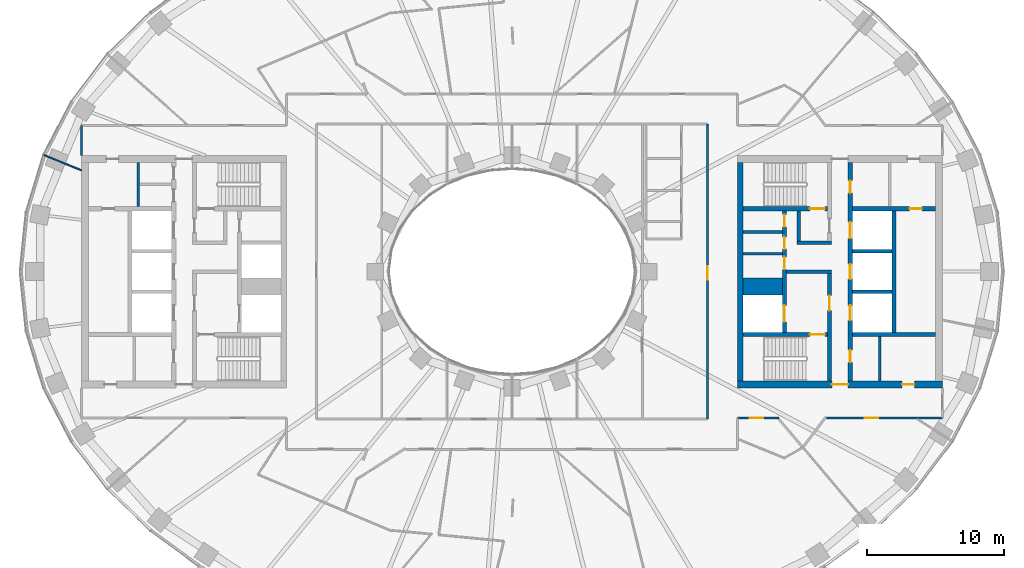
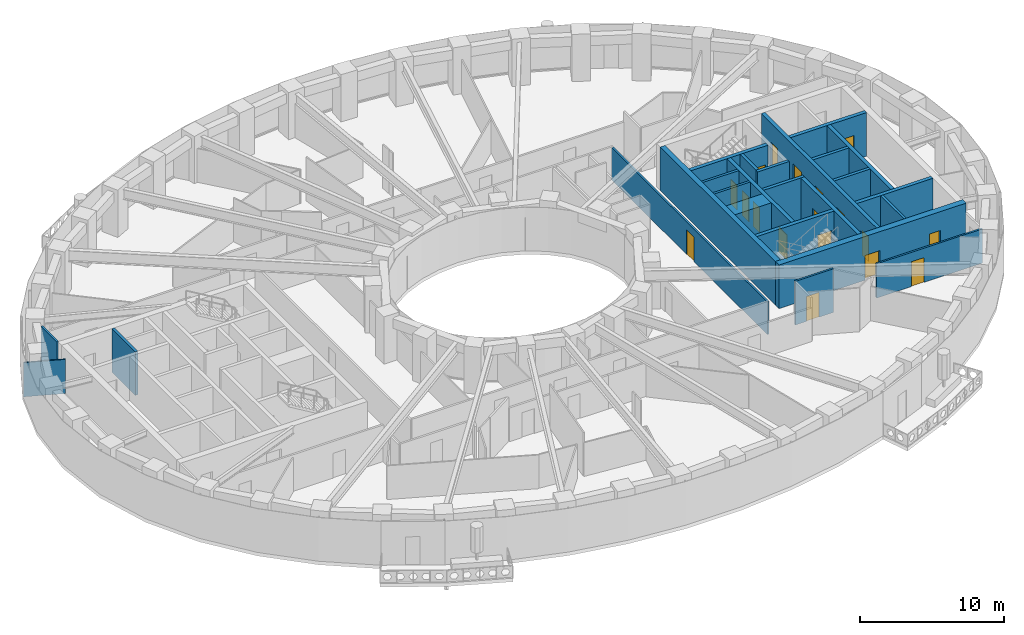
# One storey, part 5 of 15: 25 walls, 18 doors, 18 openings.
"""IFC4 building model written with IfcOpenShell, lengths in metres."""

from ifc_helpers import new_model, si_unit, direction, frame, frame_2d, origin, place, context, subcontext, project, spatial, rectangle, extrude, material, layer, layer_set, type_object, element, fill, save


model = new_model("IFC4")

# Units and contexts
model_context = context("Model", 3, precision=1e-05, world=origin(), true_north=direction((0.0, 1.0)))
body_context = subcontext(model_context, "Body", "Model", "MODEL_VIEW")
ifc_project = project(units=[si_unit("LENGTHUNIT", "METRE"), si_unit("AREAUNIT", "SQUARE_METRE"), si_unit("VOLUMEUNIT", "CUBIC_METRE"), si_unit("PLANEANGLEUNIT", "RADIAN"), si_unit("MASSUNIT", "GRAM", prefix="KILO")], contexts=[model_context])

# Site, building, storey
site_placement = place(None, origin())
site = spatial("IfcSite", under=ifc_project, at=site_placement, CompositionType="ELEMENT")
building_placement = place(site_placement, origin())
building = spatial("IfcBuilding", under=site, at=building_placement, Name="Noorbagh Ring Tower", CompositionType="ELEMENT")
storey_placement = place(building_placement, frame((0.0, 0.0, 92.0)))
storey = spatial("IfcBuildingStorey", under=building, at=storey_placement, Name="L20", CompositionType="ELEMENT", Elevation=92.0)

# Walls
ifc_material_1 = material(Name="Gypsum board on steel studs", Category="steel")
ifc_layer_1 = layer(ifc_material_1, 0.199951171875)
ifc_layer_set_1 = layer_set([ifc_layer_1], Name="Gypsum board on steel studs")
wall_type_1 = type_object("IfcWallType", Name="CORE-PARTITION-200", PredefinedType="PARTITIONING", material=ifc_layer_set_1)
wall_1_placement = place(storey_placement, frame((-27.35009765625, 4.75, 0.0), z_axis=(0.0, 0.0, 1.0), x_axis=(0.0, 1.0, 0.0)))
element("IfcWall", 1, at=wall_1_placement, inside=storey, type_object=wall_type_1, Name="Core partition W", PredefinedType="PARTITIONING", context=body_context, shape_type="SweptSolid", body=[
    extrude(rectangle(XDim=3.25, YDim=0.199951171875, at=frame_2d((1.625, 0.0))), origin(), (0.0, 0.0, 1.0), 3.699951171875),
])
for number, where, z_axis, x_axis, name in (
    (2, (16.89990234375, 1.300048828125, 0.0), (0.0, 0.0, 1.0), (1.0, 0.0, 0.0), "Core partition E"),
    (3, (16.89990234375, 2.89990234375, 0.0), (0.0, 0.0, 1.0), (1.0, 0.0, 0.0), "Core partition E"),
):
    element("IfcWall", number, at=place(storey_placement, frame(where, z_axis=z_axis, x_axis=x_axis)), inside=storey, type_object=wall_type_1, Name=name, PredefinedType="PARTITIONING", context=body_context, shape_type="SweptSolid", body=[
        extrude(rectangle(XDim=2.900146484375, YDim=0.199951171875, at=frame_2d((1.4501953125, 0.0))), origin(), (0.0, 0.0, 1.0), 3.699951171875),
    ])
wall_2_placement = place(storey_placement, frame((26.89990234375, -8.0, 0.0), z_axis=(0.0, 0.0, 1.0), x_axis=(0.0, 1.0, 0.0)))
element("IfcWall", 4, at=wall_2_placement, inside=storey, type_object=wall_type_1, Name="Core partition E", PredefinedType="PARTITIONING", context=body_context, shape_type="SweptSolid", body=[
    extrude(rectangle(XDim=3.25, YDim=0.199951171875, at=frame_2d((1.625, 0.0))), origin(), (0.0, 0.0, 1.0), 3.699951171875),
])
ifc_material_2 = material(Name="Concrete C70/85", Category="concrete")
ifc_layer_2 = layer(ifc_material_2, 1.25)
ifc_layer_set_2 = layer_set([ifc_layer_2], Name="Concrete C70/85")
wall_type_2 = type_object("IfcWallType", Name="CORE-WALL-1250-C70-85-EI120", PredefinedType="SHEAR", material=ifc_layer_set_2)
wall_3_placement = place(storey_placement, frame((16.89990234375, -1.074951171875, 0.0), z_axis=(0.0, 0.0, 1.0), x_axis=(1.0, 0.0, 0.0)))
element("IfcWall", 5, at=wall_3_placement, inside=storey, type_object=wall_type_2, Name="Core wall E", PredefinedType="SHEAR", context=body_context, shape_type="SweptSolid", body=[
    extrude(rectangle(XDim=2.900146484375, YDim=1.25, at=frame_2d((1.4501953125, 0.0))), origin(), (0.0, 0.0, 1.0), 3.699951171875),
])
ifc_material_3 = material(Name="Concrete C70/85", Category="concrete")
ifc_layer_3 = layer(ifc_material_3, 0.25)
ifc_layer_set_3 = layer_set([ifc_layer_3], Name="Concrete C70/85")
wall_type_3 = type_object("IfcWallType", Name="CORE-WALL-250-C70-85-EI120", PredefinedType="SHEAR", material=ifc_layer_set_3)
for number, where, z_axis, x_axis, name in (
    (6, (24.89990234375, -1.47509765625, 0.0), (0.0, 0.0, 1.0), (1.0, 0.0, 0.0), "Core wall E"),
    (7, (24.89990234375, 1.47509765625, 0.0), (0.0, 0.0, 1.0), (1.0, 0.0, 0.0), "Core wall E"),
):
    element("IfcWall", number, at=place(storey_placement, frame(where, z_axis=z_axis, x_axis=x_axis)), inside=storey, type_object=wall_type_3, Name=name, PredefinedType="SHEAR", context=body_context, shape_type="SweptSolid", body=[
        extrude(rectangle(XDim=2.900146484375, YDim=0.25, at=frame_2d((1.4501953125, 0.0))), origin(), (0.0, 0.0, 1.0), 3.699951171875),
    ])
ifc_material_4 = material(Name="Concrete C70/85", Category="concrete")
ifc_layer_4 = layer(ifc_material_4, 0.25)
ifc_layer_set_4 = layer_set([ifc_layer_4], Name="Concrete C70/85")
wall_type_4 = type_object("IfcWallType", Name="CORE-WALL-250-C70-85-EI240", PredefinedType="SHEAR", material=ifc_layer_set_4)
wall_4_placement = place(storey_placement, frame((20.10009765625, 0.0, 0.0), z_axis=(0.0, 0.0, 1.0), x_axis=(1.0, 0.0, 0.0)))
element("IfcWall", 8, at=wall_4_placement, inside=storey, type_object=wall_type_4, Name="Core wall E", PredefinedType="SHEAR", context=body_context, shape_type="SweptSolid", body=[
    extrude(rectangle(XDim=3.27978515625, YDim=0.25, at=frame_2d((1.639892578125, 0.0))), origin(), (0.0, 0.0, 1.0), 3.699951171875),
])
wall_5_placement = place(storey_placement, frame((20.85009765625, 2.125, 0.0), z_axis=(0.0, 0.0, 1.0), x_axis=(1.0, 0.0, 0.0)))
element("IfcWall", 9, at=wall_5_placement, inside=storey, type_object=wall_type_4, Name="Core wall E", PredefinedType="SHEAR", context=body_context, shape_type="SweptSolid", body=[
    extrude(rectangle(XDim=2.52978515625, YDim=0.25, at=frame_2d((1.264892578125, 0.0))), origin(), (0.0, 0.0, 1.0), 3.699951171875),
])
wall_6_placement = place(storey_placement, frame((20.97509765625, 2.25, 0.0), z_axis=(0.0, 0.0, 1.0), x_axis=(0.0, 1.0, 0.0)))
element("IfcWall", 10, at=wall_6_placement, inside=storey, type_object=wall_type_4, Name="Core wall E", PredefinedType="SHEAR", context=body_context, shape_type="SweptSolid", body=[
    extrude(rectangle(XDim=2.199951171875, YDim=0.25, at=frame_2d((1.10009765625, 0.0))), origin(), (0.0, 0.0, 1.0), 3.699951171875),
])
ifc_material_5 = material(Name="Concrete C70/85", Category="concrete")
ifc_layer_5 = layer(ifc_material_5, 0.300048828125)
ifc_layer_set_5 = layer_set([ifc_layer_5], Name="Concrete C70/85")
wall_type_5 = type_object("IfcWallType", Name="CORE-WALL-300-C70-85-EI120", PredefinedType="SHEAR", material=ifc_layer_set_5)
wall_7_placement = place(storey_placement, frame((27.949951171875, -4.449951171875, 0.0), z_axis=(0.0, 0.0, 1.0), x_axis=(0.0, 1.0, 0.0)))
element("IfcWall", 11, at=wall_7_placement, inside=storey, type_object=wall_type_5, Name="Core wall E", PredefinedType="SHEAR", context=body_context, shape_type="SweptSolid", body=[
    extrude(rectangle(XDim=8.89990234375, YDim=0.300048828125, at=frame_2d((4.449951171875, 0.0))), origin(), (0.0, 0.0, 1.0), 3.699951171875),
])

# Wall, openings, doors
wall_8_placement = place(storey_placement, frame((19.949951171875, -4.449951171875, 0.0), z_axis=(0.0, 0.0, 1.0), x_axis=(0.0, 1.0, 0.0)))
wall_8 = element("IfcWall", 12, at=wall_8_placement, inside=storey, type_object=wall_type_5, Name="Core wall E", PredefinedType="SHEAR", context=body_context, shape_type="SweptSolid", body=[
    extrude(rectangle(XDim=8.89990234375, YDim=0.300048828125, at=frame_2d((4.449951171875, 0.0))), origin(), (0.0, 0.0, 1.0), 3.699951171875),
])
opening_1_placement = place(wall_8_placement, frame((0.77490234375, 0.0, 0.0)))
opening_1 = element("IfcOpeningElement", 13, at=opening_1_placement, cuts=wall_8, Name="Opening L20-CE01", PredefinedType="OPENING", context=body_context, shape_type="SweptSolid", body=[
    extrude(rectangle(XDim=1.199951171875, YDim=2.10009765625, at=frame_2d((0.60009765625, 1.050048828125))), frame((0.0, 0.16015625, 0.0), z_axis=(0.0, -1.0, 0.0), x_axis=(1.0, 0.0, 0.0)), (0.0, 0.0, 1.0), 0.320068359375),
])
opening_2_placement = place(wall_8_placement, frame((4.6201171875, 0.0, 0.0)))
opening_2 = element("IfcOpeningElement", 14, at=opening_2_placement, cuts=wall_8, Name="Opening L20-CE11", PredefinedType="OPENING", context=body_context, shape_type="SweptSolid", body=[
    extrude(rectangle(XDim=0.89990234375, YDim=2.10009765625, at=frame_2d((0.449951171875, 1.050048828125))), frame((0.0, 0.16015625, 0.0), z_axis=(0.0, -1.0, 0.0), x_axis=(1.0, 0.0, 0.0)), (0.0, 0.0, 1.0), 0.320068359375),
])
opening_3_placement = place(wall_8_placement, frame((6.10009765625, 0.0, 0.0)))
opening_3 = element("IfcOpeningElement", 15, at=opening_3_placement, cuts=wall_8, Name="Opening L20-CE12", PredefinedType="OPENING", context=body_context, shape_type="SweptSolid", body=[
    extrude(rectangle(XDim=0.89990234375, YDim=2.10009765625, at=frame_2d((0.449951171875, 1.050048828125))), frame((0.0, 0.16015625, 0.0), z_axis=(0.0, -1.0, 0.0), x_axis=(1.0, 0.0, 0.0)), (0.0, 0.0, 1.0), 0.320068359375),
])
opening_4_placement = place(wall_8_placement, frame((7.72509765625, 0.0, 0.0)))
opening_4 = element("IfcOpeningElement", 16, at=opening_4_placement, cuts=wall_8, Name="Opening L20-CE13", PredefinedType="OPENING", context=body_context, shape_type="SweptSolid", body=[
    extrude(rectangle(XDim=0.89990234375, YDim=2.10009765625, at=frame_2d((0.449951171875, 1.050048828125))), frame((0.0, 0.16015625, 0.0), z_axis=(0.0, -1.0, 0.0), x_axis=(1.0, 0.0, 0.0)), (0.0, 0.0, 1.0), 0.320068359375),
])
ifc_material_6 = material(Name="Steel door leaf", Category="steel")
door_type_1 = type_object("IfcDoorType", Name="CORE-DOOR-DROOM", OperationType="SINGLE_SWING_LEFT", PredefinedType="DOOR", material=ifc_material_6)
door_1_placement = place(opening_2_placement, origin())
door_1 = element("IfcDoor", 17, at=door_1_placement, inside=storey, type_object=door_type_1, Name="Core room door L20-CE11", OperationType="SINGLE_SWING_LEFT", OverallHeight=2.10009765625, OverallWidth=0.89990234375, PredefinedType="DOOR", context=body_context, shape_type="SweptSolid", body=[
    extrude(rectangle(XDim=0.89990234375, YDim=2.10009765625, at=frame_2d((0.449951171875, 1.050048828125))), frame((0.0, 0.02490234375, 0.0), z_axis=(0.0, -1.0, 0.0), x_axis=(1.0, 0.0, 0.0)), (0.0, 0.0, 1.0), 0.050048828125),
])
fill(opening_2, door_1)
door_2_placement = place(opening_3_placement, origin())
door_2 = element("IfcDoor", 18, at=door_2_placement, inside=storey, type_object=door_type_1, Name="Core room door L20-CE12", OperationType="SINGLE_SWING_RIGHT", OverallHeight=2.10009765625, OverallWidth=0.89990234375, PredefinedType="DOOR", context=body_context, shape_type="SweptSolid", body=[
    extrude(rectangle(XDim=0.89990234375, YDim=2.10009765625, at=frame_2d((0.449951171875, 1.050048828125))), frame((0.0, 0.02490234375, 0.0), z_axis=(0.0, -1.0, 0.0), x_axis=(1.0, 0.0, 0.0)), (0.0, 0.0, 1.0), 0.050048828125),
])
fill(opening_3, door_2)
door_3_placement = place(opening_4_placement, origin())
door_3 = element("IfcDoor", 19, at=door_3_placement, inside=storey, type_object=door_type_1, Name="Core room door L20-CE13", OperationType="SINGLE_SWING_RIGHT", OverallHeight=2.10009765625, OverallWidth=0.89990234375, PredefinedType="DOOR", context=body_context, shape_type="SweptSolid", body=[
    extrude(rectangle(XDim=0.89990234375, YDim=2.10009765625, at=frame_2d((0.449951171875, 1.050048828125))), frame((0.0, 0.02490234375, 0.0), z_axis=(0.0, -1.0, 0.0), x_axis=(1.0, 0.0, 0.0)), (0.0, 0.0, 1.0), 0.050048828125),
])
fill(opening_4, door_3)
ifc_material_7 = material(Name="Steel door leaf", Category="steel")
door_type_2 = type_object("IfcDoorType", Name="CORE-DOOR-LDW", OperationType="DOUBLE_DOOR_SLIDING", PredefinedType="DOOR", material=ifc_material_7)
door_4_placement = place(opening_1_placement, origin())
door_4 = element("IfcDoor", 20, at=door_4_placement, inside=storey, type_object=door_type_2, Name="Landing door FF2 L20-CE01", OperationType="DOUBLE_DOOR_SLIDING", OverallHeight=2.10009765625, OverallWidth=1.199951171875, PredefinedType="DOOR", context=body_context, shape_type="SweptSolid", body=[
    extrude(rectangle(XDim=1.199951171875, YDim=2.10009765625, at=frame_2d((0.60009765625, 1.050048828125))), frame((0.0, 0.02490234375, 0.0), z_axis=(0.0, -1.0, 0.0), x_axis=(1.0, 0.0, 0.0)), (0.0, 0.0, 1.0), 0.050048828125),
])
fill(opening_1, door_4)

wall_9_placement = place(storey_placement, frame((24.75, -8.0, 0.0), z_axis=(0.0, 0.0, 1.0), x_axis=(0.0, 1.0, 0.0)))
wall_9 = element("IfcWall", 21, at=wall_9_placement, inside=storey, type_object=wall_type_5, Name="Core wall E", PredefinedType="SHEAR", context=body_context, shape_type="SweptSolid", body=[
    extrude(rectangle(XDim=16.0, YDim=0.300048828125, at=frame_2d((8.0, 0.0))), origin(), (0.0, 0.0, 1.0), 3.699951171875),
])
opening_5_placement = place(wall_9_placement, frame((4.425048828125, 0.0, 0.0)))
opening_5 = element("IfcOpeningElement", 22, at=opening_5_placement, cuts=wall_9, Name="Opening L20-CE02", PredefinedType="OPENING", context=body_context, shape_type="SweptSolid", body=[
    extrude(rectangle(XDim=1.10009765625, YDim=2.10009765625, at=frame_2d((0.550048828125, 1.050048828125))), frame((0.0, 0.16015625, 0.0), z_axis=(0.0, -1.0, 0.0), x_axis=(1.0, 0.0, 0.0)), (0.0, 0.0, 1.0), 0.320068359375),
])
opening_6_placement = place(wall_9_placement, frame((7.449951171875, 0.0, 0.0)))
opening_6 = element("IfcOpeningElement", 23, at=opening_6_placement, cuts=wall_9, Name="Opening L20-CE03", PredefinedType="OPENING", context=body_context, shape_type="SweptSolid", body=[
    extrude(rectangle(XDim=1.10009765625, YDim=2.10009765625, at=frame_2d((0.550048828125, 1.050048828125))), frame((0.0, 0.16015625, 0.0), z_axis=(0.0, -1.0, 0.0), x_axis=(1.0, 0.0, 0.0)), (0.0, 0.0, 1.0), 0.320068359375),
])
opening_7_placement = place(wall_9_placement, frame((10.425048828125, 0.0, 0.0)))
opening_7 = element("IfcOpeningElement", 24, at=opening_7_placement, cuts=wall_9, Name="Opening L20-CE04", PredefinedType="OPENING", context=body_context, shape_type="SweptSolid", body=[
    extrude(rectangle(XDim=1.199951171875, YDim=2.10009765625, at=frame_2d((0.60009765625, 1.050048828125))), frame((0.0, 0.16015625, 0.0), z_axis=(0.0, -1.0, 0.0), x_axis=(1.0, 0.0, 0.0)), (0.0, 0.0, 1.0), 0.320068359375),
])
opening_8_placement = place(wall_9_placement, frame((13.75, 0.0, 0.0)))
opening_8 = element("IfcOpeningElement", 25, at=opening_8_placement, cuts=wall_9, Name="Opening L20-CE14", PredefinedType="OPENING", context=body_context, shape_type="SweptSolid", body=[
    extrude(rectangle(XDim=0.89990234375, YDim=2.10009765625, at=frame_2d((0.449951171875, 1.050048828125))), frame((0.0, 0.16015625, 0.0), z_axis=(0.0, -1.0, 0.0), x_axis=(1.0, 0.0, 0.0)), (0.0, 0.0, 1.0), 0.320068359375),
])
opening_9_placement = place(wall_9_placement, frame((1.35009765625, 0.0, 0.0)))
opening_9 = element("IfcOpeningElement", 26, at=opening_9_placement, cuts=wall_9, Name="Opening L20-CE16", PredefinedType="OPENING", context=body_context, shape_type="SweptSolid", body=[
    extrude(rectangle(XDim=0.89990234375, YDim=2.10009765625, at=frame_2d((0.449951171875, 1.050048828125))), frame((0.0, 0.16015625, 0.0), z_axis=(0.0, -1.0, 0.0), x_axis=(1.0, 0.0, 0.0)), (0.0, 0.0, 1.0), 0.320068359375),
])
door_5_placement = place(opening_8_placement, origin())
door_5 = element("IfcDoor", 27, at=door_5_placement, inside=storey, type_object=door_type_1, Name="Core room door L20-CE14", OperationType="SINGLE_SWING_LEFT", OverallHeight=2.10009765625, OverallWidth=0.89990234375, PredefinedType="DOOR", context=body_context, shape_type="SweptSolid", body=[
    extrude(rectangle(XDim=0.89990234375, YDim=2.10009765625, at=frame_2d((0.449951171875, 1.050048828125))), frame((0.0, 0.02490234375, 0.0), z_axis=(0.0, -1.0, 0.0), x_axis=(1.0, 0.0, 0.0)), (0.0, 0.0, 1.0), 0.050048828125),
])
fill(opening_8, door_5)
door_6_placement = place(opening_9_placement, origin())
door_6 = element("IfcDoor", 28, at=door_6_placement, inside=storey, type_object=door_type_1, Name="Core room door L20-CE16", OperationType="SINGLE_SWING_RIGHT", OverallHeight=2.10009765625, OverallWidth=0.89990234375, PredefinedType="DOOR", context=body_context, shape_type="SweptSolid", body=[
    extrude(rectangle(XDim=0.89990234375, YDim=2.10009765625, at=frame_2d((0.449951171875, 1.050048828125))), frame((0.0, 0.02490234375, 0.0), z_axis=(0.0, -1.0, 0.0), x_axis=(1.0, 0.0, 0.0)), (0.0, 0.0, 1.0), 0.050048828125),
])
fill(opening_9, door_6)
ifc_material_8 = material(Name="Steel door leaf", Category="steel")
door_type_3 = type_object("IfcDoorType", Name="CORE-DOOR-LD", OperationType="DOUBLE_DOOR_SLIDING", PredefinedType="DOOR", material=ifc_material_8)
door_7_placement = place(opening_5_placement, origin())
door_7 = element("IfcDoor", 29, at=door_7_placement, inside=storey, type_object=door_type_3, Name="Landing door LR3 L20-CE02", OperationType="DOUBLE_DOOR_SLIDING", OverallHeight=2.10009765625, OverallWidth=1.10009765625, PredefinedType="DOOR", context=body_context, shape_type="SweptSolid", body=[
    extrude(rectangle(XDim=1.10009765625, YDim=2.10009765625, at=frame_2d((0.550048828125, 1.050048828125))), frame((0.0, 0.02490234375, 0.0), z_axis=(0.0, -1.0, 0.0), x_axis=(1.0, 0.0, 0.0)), (0.0, 0.0, 1.0), 0.050048828125),
])
fill(opening_5, door_7)
door_8_placement = place(opening_6_placement, origin())
door_8 = element("IfcDoor", 30, at=door_8_placement, inside=storey, type_object=door_type_3, Name="Landing door LR4 L20-CE03", OperationType="DOUBLE_DOOR_SLIDING", OverallHeight=2.10009765625, OverallWidth=1.10009765625, PredefinedType="DOOR", context=body_context, shape_type="SweptSolid", body=[
    extrude(rectangle(XDim=1.10009765625, YDim=2.10009765625, at=frame_2d((0.550048828125, 1.050048828125))), frame((0.0, 0.02490234375, 0.0), z_axis=(0.0, -1.0, 0.0), x_axis=(1.0, 0.0, 0.0)), (0.0, 0.0, 1.0), 0.050048828125),
])
fill(opening_6, door_8)
door_9_placement = place(opening_7_placement, origin())
door_9 = element("IfcDoor", 31, at=door_9_placement, inside=storey, type_object=door_type_2, Name="Landing door SV2 L20-CE04", OperationType="DOUBLE_DOOR_SLIDING", OverallHeight=2.10009765625, OverallWidth=1.199951171875, PredefinedType="DOOR", context=body_context, shape_type="SweptSolid", body=[
    extrude(rectangle(XDim=1.199951171875, YDim=2.10009765625, at=frame_2d((0.60009765625, 1.050048828125))), frame((0.0, 0.02490234375, 0.0), z_axis=(0.0, -1.0, 0.0), x_axis=(1.0, 0.0, 0.0)), (0.0, 0.0, 1.0), 0.050048828125),
])
fill(opening_7, door_9)

# Wall, opening, door
ifc_material_9 = material(Name="Concrete C70/85", Category="concrete")
ifc_layer_6 = layer(ifc_material_9, 0.300048828125)
ifc_layer_set_6 = layer_set([ifc_layer_6], Name="Concrete C70/85")
wall_type_6 = type_object("IfcWallType", Name="CORE-WALL-300-C70-85-EI240", PredefinedType="SHEAR", material=ifc_layer_set_6)
wall_10_placement = place(storey_placement, frame((24.89990234375, 4.60009765625, 0.0), z_axis=(0.0, 0.0, 1.0), x_axis=(1.0, 0.0, 0.0)))
wall_10 = element("IfcWall", 32, at=wall_10_placement, inside=storey, type_object=wall_type_6, Name="Core wall E", PredefinedType="SHEAR", context=body_context, shape_type="SweptSolid", body=[
    extrude(rectangle(XDim=6.10009765625, YDim=0.300048828125, at=frame_2d((3.050048828125, 0.0))), origin(), (0.0, 0.0, 1.0), 3.699951171875),
])
opening_10_placement = place(wall_10_placement, frame((4.199951171875, 0.0, 0.0)))
opening_10 = element("IfcOpeningElement", 33, at=opening_10_placement, cuts=wall_10, Name="Opening L20-CE18", PredefinedType="OPENING", context=body_context, shape_type="SweptSolid", body=[
    extrude(rectangle(XDim=0.89990234375, YDim=2.10009765625, at=frame_2d((0.449951171875, 1.050048828125))), frame((0.0, 0.16015625, 0.0), z_axis=(0.0, -1.0, 0.0), x_axis=(1.0, 0.0, 0.0)), (0.0, 0.0, 1.0), 0.320068359375),
])
door_10_placement = place(opening_10_placement, origin())
door_10 = element("IfcDoor", 34, at=door_10_placement, inside=storey, type_object=door_type_1, Name="Core room door L20-CE18", OperationType="SINGLE_SWING_RIGHT", OverallHeight=2.10009765625, OverallWidth=0.89990234375, PredefinedType="DOOR", context=body_context, shape_type="SweptSolid", body=[
    extrude(rectangle(XDim=0.89990234375, YDim=2.10009765625, at=frame_2d((0.449951171875, 1.050048828125))), frame((0.0, 0.02490234375, 0.0), z_axis=(0.0, -1.0, 0.0), x_axis=(1.0, 0.0, 0.0)), (0.0, 0.0, 1.0), 0.050048828125),
])
fill(opening_10, door_10)

# Wall
wall_11_placement = place(storey_placement, frame((24.89990234375, -4.60009765625, 0.0), z_axis=(0.0, 0.0, 1.0), x_axis=(1.0, 0.0, 0.0)))
element("IfcWall", 35, at=wall_11_placement, inside=storey, type_object=wall_type_6, Name="Core wall E", PredefinedType="SHEAR", context=body_context, shape_type="SweptSolid", body=[
    extrude(rectangle(XDim=6.10009765625, YDim=0.300048828125, at=frame_2d((3.050048828125, 0.0))), origin(), (0.0, 0.0, 1.0), 3.699951171875),
])

# Wall, opening, door
wall_12_placement = place(storey_placement, frame((23.22998046875, -8.0, 0.0), z_axis=(0.0, 0.0, 1.0), x_axis=(0.0, 1.0, 0.0)))
wall_12 = element("IfcWall", 36, at=wall_12_placement, inside=storey, type_object=wall_type_6, Name="Core wall E", PredefinedType="SHEAR", context=body_context, shape_type="SweptSolid", body=[
    extrude(rectangle(XDim=7.875, YDim=0.300048828125, at=frame_2d((3.9375, 0.0))), origin(), (0.0, 0.0, 1.0), 3.699951171875),
])
opening_11_placement = place(wall_12_placement, frame((5.14990234375, 0.0, 0.0)))
opening_11 = element("IfcOpeningElement", 37, at=opening_11_placement, cuts=wall_12, Name="Opening L20-CE07", PredefinedType="OPENING", context=body_context, shape_type="SweptSolid", body=[
    extrude(rectangle(XDim=1.10009765625, YDim=2.10009765625, at=frame_2d((0.550048828125, 1.050048828125))), frame((0.0, 0.16015625, 0.0), z_axis=(0.0, -1.0, 0.0), x_axis=(1.0, 0.0, 0.0)), (0.0, 0.0, 1.0), 0.320068359375),
])
ifc_material_10 = material(Name="Steel door leaf", Category="steel")
door_type_4 = type_object("IfcDoorType", Name="CORE-DOOR-DFF", OperationType="SINGLE_SWING_LEFT", PredefinedType="DOOR", material=ifc_material_10)
door_11_placement = place(opening_11_placement, origin())
door_11 = element("IfcDoor", 38, at=door_11_placement, inside=storey, type_object=door_type_4, Name="Firefighting lobby door L20-CE07", OperationType="SINGLE_SWING_RIGHT", OverallHeight=2.10009765625, OverallWidth=1.10009765625, PredefinedType="DOOR", context=body_context, shape_type="SweptSolid", body=[
    extrude(rectangle(XDim=1.10009765625, YDim=2.10009765625, at=frame_2d((0.550048828125, 1.050048828125))), frame((0.0, 0.02490234375, 0.0), z_axis=(0.0, -1.0, 0.0), x_axis=(1.0, 0.0, 0.0)), (0.0, 0.0, 1.0), 0.050048828125),
])
fill(opening_11, door_11)

wall_13_placement = place(storey_placement, frame((16.89990234375, 4.60009765625, 0.0), z_axis=(0.0, 0.0, 1.0), x_axis=(1.0, 0.0, 0.0)))
wall_13 = element("IfcWall", 39, at=wall_13_placement, inside=storey, type_object=wall_type_6, Name="Core wall E", PredefinedType="SHEAR", context=body_context, shape_type="SweptSolid", body=[
    extrude(rectangle(XDim=6.18017578125, YDim=0.300048828125, at=frame_2d((3.090087890625, 0.0))), origin(), (0.0, 0.0, 1.0), 3.699951171875),
])
opening_12_placement = place(wall_13_placement, frame((4.89990234375, 0.0, 0.0)))
opening_12 = element("IfcOpeningElement", 40, at=opening_12_placement, cuts=wall_13, Name="Opening L20-CE05", PredefinedType="OPENING", context=body_context, shape_type="SweptSolid", body=[
    extrude(rectangle(XDim=1.10009765625, YDim=2.10009765625, at=frame_2d((0.550048828125, 1.050048828125))), frame((0.0, 0.16015625, 0.0), z_axis=(0.0, -1.0, 0.0), x_axis=(1.0, 0.0, 0.0)), (0.0, 0.0, 1.0), 0.320068359375),
])
ifc_material_11 = material(Name="Steel door leaf", Category="steel")
door_type_5 = type_object("IfcDoorType", Name="CORE-DOOR-DSTAIR", OperationType="SINGLE_SWING_LEFT", PredefinedType="DOOR", material=ifc_material_11)
door_12_placement = place(opening_12_placement, origin())
door_12 = element("IfcDoor", 41, at=door_12_placement, inside=storey, type_object=door_type_5, Name="Stair door ST3 L20-CE05", OperationType="SINGLE_SWING_LEFT", OverallHeight=2.10009765625, OverallWidth=1.10009765625, PredefinedType="DOOR", context=body_context, shape_type="SweptSolid", body=[
    extrude(rectangle(XDim=1.10009765625, YDim=2.10009765625, at=frame_2d((0.550048828125, 1.050048828125))), frame((0.0, 0.02490234375, 0.0), z_axis=(0.0, -1.0, 0.0), x_axis=(1.0, 0.0, 0.0)), (0.0, 0.0, 1.0), 0.050048828125),
])
fill(opening_12, door_12)

wall_14_placement = place(storey_placement, frame((16.89990234375, -4.60009765625, 0.0), z_axis=(0.0, 0.0, 1.0), x_axis=(1.0, 0.0, 0.0)))
wall_14 = element("IfcWall", 42, at=wall_14_placement, inside=storey, type_object=wall_type_6, Name="Core wall E", PredefinedType="SHEAR", context=body_context, shape_type="SweptSolid", body=[
    extrude(rectangle(XDim=6.18017578125, YDim=0.300048828125, at=frame_2d((3.090087890625, 0.0))), origin(), (0.0, 0.0, 1.0), 3.699951171875),
])
opening_13_placement = place(wall_14_placement, frame((4.89990234375, 0.0, 0.0)))
opening_13 = element("IfcOpeningElement", 43, at=opening_13_placement, cuts=wall_14, Name="Opening L20-CE06", PredefinedType="OPENING", context=body_context, shape_type="SweptSolid", body=[
    extrude(rectangle(XDim=1.10009765625, YDim=2.10009765625, at=frame_2d((0.550048828125, 1.050048828125))), frame((0.0, 0.16015625, 0.0), z_axis=(0.0, -1.0, 0.0), x_axis=(1.0, 0.0, 0.0)), (0.0, 0.0, 1.0), 0.320068359375),
])
door_13_placement = place(opening_13_placement, origin())
door_13 = element("IfcDoor", 44, at=door_13_placement, inside=storey, type_object=door_type_5, Name="Stair door ST4 L20-CE06", OperationType="SINGLE_SWING_RIGHT", OverallHeight=2.10009765625, OverallWidth=1.10009765625, PredefinedType="DOOR", context=body_context, shape_type="SweptSolid", body=[
    extrude(rectangle(XDim=1.10009765625, YDim=2.10009765625, at=frame_2d((0.550048828125, 1.050048828125))), frame((0.0, 0.02490234375, 0.0), z_axis=(0.0, -1.0, 0.0), x_axis=(1.0, 0.0, 0.0)), (0.0, 0.0, 1.0), 0.050048828125),
])
fill(opening_13, door_13)

# Wall
ifc_material_12 = material(Name="Concrete C70/85", Category="concrete")
ifc_layer_7 = layer(ifc_material_12, 0.39990234375)
ifc_layer_set_7 = layer_set([ifc_layer_7], Name="Concrete C70/85")
wall_type_7 = type_object("IfcWallType", Name="CORE-WALL-400-C70-85-EI240", PredefinedType="SHEAR", material=ifc_layer_set_7)
wall_15_placement = place(storey_placement, frame((16.699951171875, -8.0, 0.0), z_axis=(0.0, 0.0, 1.0), x_axis=(0.0, 1.0, 0.0)))
element("IfcWall", 45, at=wall_15_placement, inside=storey, type_object=wall_type_7, Name="Core wall E", PredefinedType="SHEAR", context=body_context, shape_type="SweptSolid", body=[
    extrude(rectangle(XDim=16.0, YDim=0.39990234375, at=frame_2d((8.0, 0.0))), origin(), (0.0, 0.0, 1.0), 3.699951171875),
])

# Wall, openings, doors
ifc_material_13 = material(Name="Concrete C70/85", Category="concrete")
ifc_layer_8 = layer(ifc_material_13, 0.5)
ifc_layer_set_8 = layer_set([ifc_layer_8], Name="Concrete C70/85")
wall_type_8 = type_object("IfcWallType", Name="CORE-WALL-500-C70-85-EI240", PredefinedType="SHEAR", material=ifc_layer_set_8)
wall_16_placement = place(storey_placement, frame((16.5, -8.25, 0.0), z_axis=(0.0, 0.0, 1.0), x_axis=(1.0, 0.0, 0.0)))
wall_16 = element("IfcWall", 46, at=wall_16_placement, inside=storey, type_object=wall_type_8, Name="Core wall E", PredefinedType="SHEAR", context=body_context, shape_type="SweptSolid", body=[
    extrude(rectangle(XDim=15.0, YDim=0.5, at=frame_2d((7.5, 0.0))), origin(), (0.0, 0.0, 1.0), 3.699951171875),
])
opening_14_placement = place(wall_16_placement, frame((6.89990234375, 0.0, 0.0)))
opening_14 = element("IfcOpeningElement", 47, at=opening_14_placement, cuts=wall_16, Name="Opening L20-CE10", PredefinedType="OPENING", context=body_context, shape_type="SweptSolid", body=[
    extrude(rectangle(XDim=1.199951171875, YDim=2.10009765625, at=frame_2d((0.60009765625, 1.050048828125))), frame((0.0, 0.260009765625, 0.0), z_axis=(0.0, -1.0, 0.0), x_axis=(1.0, 0.0, 0.0)), (0.0, 0.0, 1.0), 0.52001953125),
])
opening_15_placement = place(wall_16_placement, frame((12.050048828125, 0.0, 0.0)))
opening_15 = element("IfcOpeningElement", 48, at=opening_15_placement, cuts=wall_16, Name="Opening L20-CE17", PredefinedType="OPENING", context=body_context, shape_type="SweptSolid", body=[
    extrude(rectangle(XDim=0.89990234375, YDim=2.10009765625, at=frame_2d((0.449951171875, 1.050048828125))), frame((0.0, 0.260009765625, 0.0), z_axis=(0.0, -1.0, 0.0), x_axis=(1.0, 0.0, 0.0)), (0.0, 0.0, 1.0), 0.52001953125),
])
door_14_placement = place(opening_15_placement, origin())
door_14 = element("IfcDoor", 49, at=door_14_placement, inside=storey, type_object=door_type_1, Name="Core room door L20-CE17", OperationType="SINGLE_SWING_RIGHT", OverallHeight=2.10009765625, OverallWidth=0.89990234375, PredefinedType="DOOR", context=body_context, shape_type="SweptSolid", body=[
    extrude(rectangle(XDim=0.89990234375, YDim=2.10009765625, at=frame_2d((0.449951171875, 1.050048828125))), frame((0.0, 0.02490234375, 0.0), z_axis=(0.0, -1.0, 0.0), x_axis=(1.0, 0.0, 0.0)), (0.0, 0.0, 1.0), 0.050048828125),
])
fill(opening_15, door_14)
ifc_material_14 = material(Name="Steel door leaf", Category="steel")
door_type_6 = type_object("IfcDoorType", Name="CORE-DOOR-PORT", OperationType="DOUBLE_DOOR_DOUBLE_SWING", PredefinedType="DOOR", material=ifc_material_14)
door_15_placement = place(opening_14_placement, origin())
door_15 = element("IfcDoor", 50, at=door_15_placement, inside=storey, type_object=door_type_6, Name="Core entrance door L20-CE10", OperationType="DOUBLE_DOOR_DOUBLE_SWING", OverallHeight=2.10009765625, OverallWidth=1.199951171875, PredefinedType="DOOR", context=body_context, shape_type="SweptSolid", body=[
    extrude(rectangle(XDim=1.199951171875, YDim=2.10009765625, at=frame_2d((0.60009765625, 1.050048828125))), frame((0.0, 0.02490234375, 0.0), z_axis=(0.0, -1.0, 0.0), x_axis=(1.0, 0.0, 0.0)), (0.0, 0.0, 1.0), 0.050048828125),
])
fill(opening_14, door_15)

# Wall
ifc_material_15 = material(Name="Gypsum board on steel studs", Category="steel")
ifc_layer_9 = layer(ifc_material_15, 0.14990234375)
ifc_layer_set_9 = layer_set([ifc_layer_9], Name="Gypsum board on steel studs")
wall_type_9 = type_object("IfcWallType", Name="CORRIDOR PARTITION 150 EI 30", PredefinedType="PARTITIONING", material=ifc_layer_set_9)
wall_17_placement = place(storey_placement, frame((-31.5, 8.5, 0.0), z_axis=(0.0, 0.0, 1.0), x_axis=(0.0, 1.0, 0.0)))
element("IfcWall", 51, at=wall_17_placement, inside=storey, type_object=wall_type_9, Name="L20/wall/P04", PredefinedType="PARTITIONING", context=body_context, shape_type="SweptSolid", body=[
    extrude(rectangle(XDim=2.199951171875, YDim=0.14990234375, at=frame_2d((1.10009765625, 0.0))), origin(), (0.0, 0.0, 1.0), 3.699951171875),
])

# Wall, opening, door
wall_18_placement = place(storey_placement, frame((14.300048828125, -10.800048828125, 0.0), z_axis=(0.0, 0.0, 1.0), x_axis=(0.0, 1.0, 0.0)))
wall_18 = element("IfcWall", 52, at=wall_18_placement, inside=storey, type_object=wall_type_9, Name="L20/wall/P69", PredefinedType="PARTITIONING", context=body_context, shape_type="SweptSolid", body=[
    extrude(rectangle(XDim=21.60009765625, YDim=0.14990234375, at=frame_2d((10.800048828125, 0.0))), origin(), (0.0, 0.0, 1.0), 2.75),
])
opening_16_placement = place(wall_18_placement, frame((10.199951171875, 0.0, 0.0)))
opening_16 = element("IfcOpeningElement", 53, at=opening_16_placement, cuts=wall_18, Name="Opening D1", PredefinedType="OPENING", context=body_context, shape_type="SweptSolid", body=[
    extrude(rectangle(XDim=1.0, YDim=2.10009765625, at=frame_2d((0.5, 1.050048828125))), frame((0.0, 0.0849609375, 0.0), z_axis=(0.0, -1.0, 0.0), x_axis=(1.0, 0.0, 0.0)), (0.0, 0.0, 1.0), 0.169921875),
])
ifc_material_16 = material(Name="Timber, painted", Category="wood")
door_type_7 = type_object("IfcDoorType", Name="DOOR 1000 X 2100 FD30", OperationType="SINGLE_SWING_LEFT", PredefinedType="DOOR", material=ifc_material_16)
door_16_placement = place(opening_16_placement, origin())
door_16 = element("IfcDoor", 54, at=door_16_placement, inside=storey, type_object=door_type_7, Name="L20-D01", OperationType="SINGLE_SWING_LEFT", OverallHeight=2.10009765625, OverallWidth=1.0, PredefinedType="DOOR", context=body_context, shape_type="SweptSolid", body=[
    extrude(rectangle(XDim=1.0, YDim=2.10009765625, at=frame_2d((0.5, 1.050048828125))), frame((0.0, 0.02490234375, 0.0), z_axis=(0.0, -1.0, 0.0), x_axis=(1.0, 0.0, 0.0)), (0.0, 0.0, 1.0), 0.050048828125),
])
fill(opening_16, door_16)

wall_19_placement = place(storey_placement, frame((16.5, -10.699951171875, 0.0), z_axis=(0.0, 0.0, 1.0), x_axis=(1.0, 0.0, 0.0)))
wall_19 = element("IfcWall", 55, at=wall_19_placement, inside=storey, type_object=wall_type_9, Name="L20/wall/P71", PredefinedType="PARTITIONING", context=body_context, shape_type="SweptSolid", body=[
    extrude(rectangle(XDim=3.04296875, YDim=0.14990234375, at=frame_2d((1.521484375, 0.0))), origin(), (0.0, 0.0, 1.0), 3.699951171875),
])
opening_17_placement = place(wall_19_placement, frame((0.89990234375, 0.0, 0.0)))
opening_17 = element("IfcOpeningElement", 56, at=opening_17_placement, cuts=wall_19, Name="Opening D1", PredefinedType="OPENING", context=body_context, shape_type="SweptSolid", body=[
    extrude(rectangle(XDim=1.0, YDim=2.10009765625, at=frame_2d((0.5, 1.050048828125))), frame((0.0, 0.0849609375, 0.0), z_axis=(0.0, -1.0, 0.0), x_axis=(1.0, 0.0, 0.0)), (0.0, 0.0, 1.0), 0.169921875),
])
door_17_placement = place(opening_17_placement, origin())
door_17 = element("IfcDoor", 57, at=door_17_placement, inside=storey, type_object=door_type_7, Name="L20-D20", OperationType="SINGLE_SWING_RIGHT", OverallHeight=2.10009765625, OverallWidth=1.0, PredefinedType="DOOR", context=body_context, shape_type="SweptSolid", body=[
    extrude(rectangle(XDim=1.0, YDim=2.10009765625, at=frame_2d((0.5, 1.050048828125))), frame((0.0, 0.02490234375, 0.0), z_axis=(0.0, -1.0, 0.0), x_axis=(1.0, 0.0, 0.0)), (0.0, 0.0, 1.0), 0.050048828125),
])
fill(opening_17, door_17)

wall_20_placement = place(storey_placement, frame((23.010986328125, -10.699951171875, 0.0), z_axis=(0.0, 0.0, 1.0), x_axis=(1.0, 0.0, 0.0)))
wall_20 = element("IfcWall", 58, at=wall_20_placement, inside=storey, type_object=wall_type_9, Name="L20/wall/P84", PredefinedType="PARTITIONING", context=body_context, shape_type="SweptSolid", body=[
    extrude(rectangle(XDim=8.489013671875, YDim=0.14990234375, at=frame_2d((4.24462890625, 0.0))), origin(), (0.0, 0.0, 1.0), 2.89990234375),
])
opening_18_placement = place(wall_20_placement, frame((2.805908203125, 0.0, 0.0)))
opening_18 = element("IfcOpeningElement", 59, at=opening_18_placement, cuts=wall_20, Name="Opening D1", PredefinedType="OPENING", context=body_context, shape_type="SweptSolid", body=[
    extrude(rectangle(XDim=1.0, YDim=2.10009765625, at=frame_2d((0.5, 1.050048828125))), frame((0.0, 0.0849609375, 0.0), z_axis=(0.0, -1.0, 0.0), x_axis=(1.0, 0.0, 0.0)), (0.0, 0.0, 1.0), 0.169921875),
])
door_18_placement = place(opening_18_placement, origin())
door_18 = element("IfcDoor", 60, at=door_18_placement, inside=storey, type_object=door_type_7, Name="L20-D22", OperationType="SINGLE_SWING_RIGHT", OverallHeight=2.10009765625, OverallWidth=1.0, PredefinedType="DOOR", context=body_context, shape_type="SweptSolid", body=[
    extrude(rectangle(XDim=1.0, YDim=2.10009765625, at=frame_2d((0.5, 1.050048828125))), frame((0.0, 0.02490234375, 0.0), z_axis=(0.0, -1.0, 0.0), x_axis=(1.0, 0.0, 0.0)), (0.0, 0.0, 1.0), 0.050048828125),
])
fill(opening_18, door_18)

# Wall
ifc_material_17 = material(Name="Gypsum board on steel studs", Category="steel")
ifc_layer_10 = layer(ifc_material_17, 0.10009765625)
ifc_layer_set_10 = layer_set([ifc_layer_10], Name="Gypsum board on steel studs")
wall_type_10 = type_object("IfcWallType", Name="PARTITION 100 GYPSUM", PredefinedType="PARTITIONING", material=ifc_layer_set_10)
wall_21_placement = place(storey_placement, frame((-34.23388671875, 8.530029296875, 0.0), z_axis=(0.0, 0.0, 1.0), x_axis=(0.925344112436, -0.379128307542, 0.0)))
element("IfcWall", 61, at=wall_21_placement, inside=storey, type_object=wall_type_10, Name="L20/wall/P01", PredefinedType="PARTITIONING", context=body_context, shape_type="SweptSolid", body=[
    extrude(rectangle(XDim=2.954345703125, YDim=0.10009765625, at=frame_2d((1.47705078125, 0.0))), origin(), (0.0, 0.0, 1.0), 2.89990234375),
])

save(model, "model.ifc")
